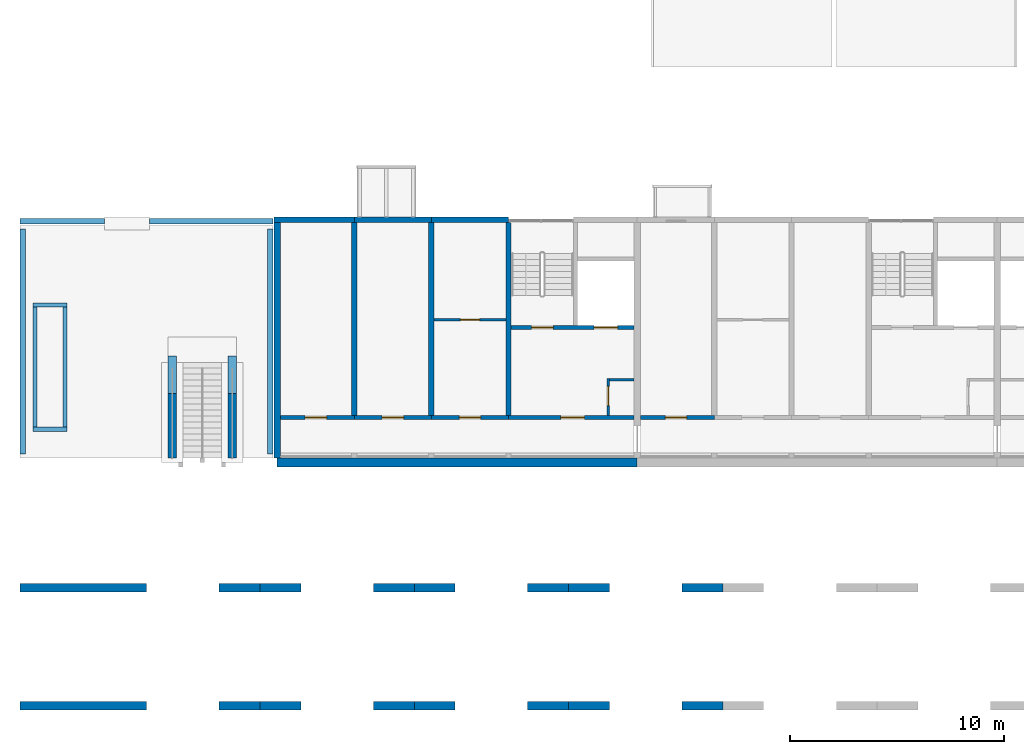
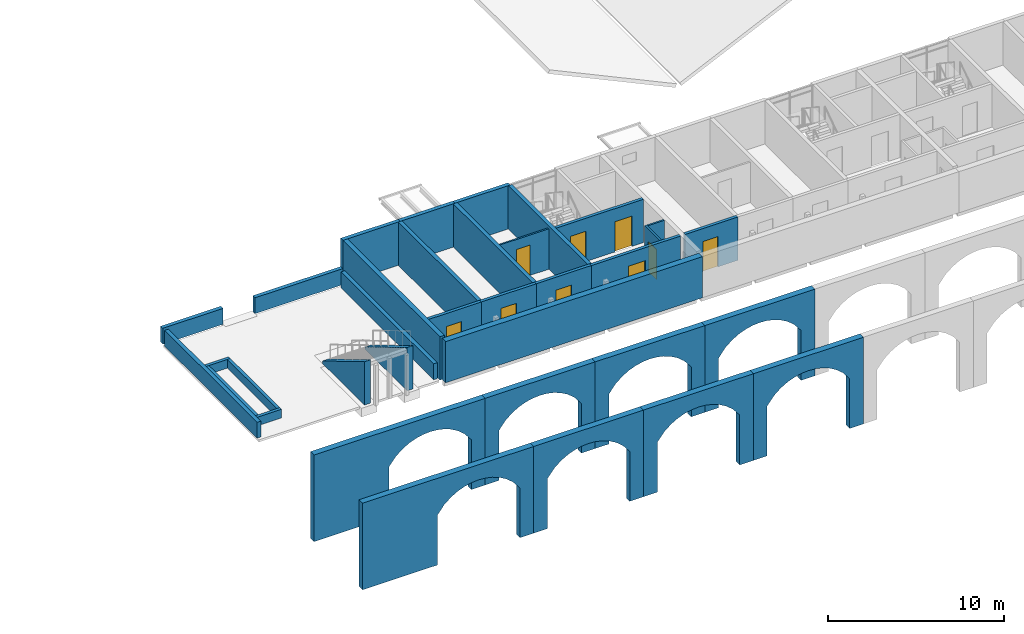
# One storey, part 53 of 122: 35 walls, 9 doors, 9 openings.
"""IFC4 building model written with IfcOpenShell, lengths in metres."""

import ifcopenshell
import ifcopenshell.guid

model = None  # the IFC model being written
_history = None  # IfcOwnerHistory: only IFC2X3 demands one
_inside = {}  # id of a spatial element -> (the spatial element, [elements in it])
_under = {}  # id of a project, library or spatial element -> (it, [spatial elements below it])
_declared = {}  # id of a project -> (the project, [libraries it declares])
_typed = {}  # id of a type object -> (the type object, [elements of that type])
_made_of = {}  # id of a material, layer set ... -> (it, [elements and type objects made of it])


def new_model(schema):
    """Start an empty IFC model of exactly this schema.

    Asked for "IFC4X3", IfcOpenShell would pick the latest addendum, in which some entities
    have other attributes; the version numbers below select the first issue.
    IFC2X3 requires an IfcOwnerHistory on every rooted entity: one is made here for all.
    """
    global model, _history
    if schema == "IFC4X3":
        model = ifcopenshell.file(schema_version=(4, 3, 0, 0))
    else:
        model = ifcopenshell.file(schema=schema)
    _inside.clear()
    _under.clear()
    _declared.clear()
    _typed.clear()
    _made_of.clear()
    _history = None
    if model.schema == "IFC2X3":
        org = make("IfcOrganization", Name="unknown")
        user = make(
            "IfcPersonAndOrganization",
            ThePerson=make("IfcPerson", FamilyName="unknown"),
            TheOrganization=org,
        )
        app = make(
            "IfcApplication",
            ApplicationDeveloper=org,
            Version="unknown",
            ApplicationFullName="unknown",
            ApplicationIdentifier="unknown",
        )
        _history = make(
            "IfcOwnerHistory",
            OwningUser=user,
            OwningApplication=app,
            ChangeAction="ADDED",
            CreationDate=0,
        )
    return model


def make(cls, **values):
    """One entity of the class cls with the attributes given. An attribute that is None is left unset."""
    return model.create_entity(
        cls, **{name: value for name, value in values.items() if value is not None}
    )


def rooted(cls, **values):
    """An entity with a GlobalId (a new one), such as an element, a storey or a relation."""
    return make(cls, GlobalId=ifcopenshell.guid.new(), OwnerHistory=_history, **values)


def si_unit(unit_type, name, prefix=None):
    """IfcSIUnit, for example si_unit("LENGTHUNIT", "METRE", prefix="MILLI")."""
    return make("IfcSIUnit", UnitType=unit_type, Prefix=prefix, Name=name)


def assignment(units):
    """IfcUnitAssignment: the units of a project."""
    return None if units is None else make("IfcUnitAssignment", Units=units)


def point(xyz):
    """IfcCartesianPoint."""
    return None if xyz is None else make("IfcCartesianPoint", Coordinates=xyz)


def direction(xyz):
    """IfcDirection."""
    return None if xyz is None else make("IfcDirection", DirectionRatios=xyz)


def frame(location, z_axis=None, x_axis=None):
    """IfcAxis2Placement3D, a coordinate frame: its origin and axes. An axis left out is left unset."""
    return make(
        "IfcAxis2Placement3D",
        Location=point(location),
        Axis=direction(z_axis),
        RefDirection=direction(x_axis),
    )


def frame_2d(location, x_axis=None):
    """IfcAxis2Placement2D, a coordinate frame in the plane: its origin and x axis."""
    return make(
        "IfcAxis2Placement2D", Location=point(location), RefDirection=direction(x_axis)
    )


def origin():
    """The frame at (0, 0, 0) with its axes left unset."""
    return frame((0.0, 0.0, 0.0))


def place(relative_to, where):
    """IfcLocalPlacement: puts the frame where relative to a parent placement (None: the world)."""
    return make(
        "IfcLocalPlacement", PlacementRelTo=relative_to, RelativePlacement=where
    )


def context(
    kind, dimensions, precision=None, world=None, true_north=None, identifier=None
):
    """IfcGeometricRepresentationContext, for example the 3D "Model" context."""
    return make(
        "IfcGeometricRepresentationContext",
        ContextIdentifier=identifier,
        ContextType=kind,
        CoordinateSpaceDimension=dimensions,
        Precision=precision,
        WorldCoordinateSystem=world,
        TrueNorth=true_north,
    )


def subcontext(parent, identifier, kind, view, scale=None):
    """IfcGeometricRepresentationSubContext, for example "Body" below "Model"."""
    return make(
        "IfcGeometricRepresentationSubContext",
        ContextIdentifier=identifier,
        ContextType=kind,
        ParentContext=parent,
        TargetScale=scale,
        TargetView=view,
    )


def project(units=None, contexts=None):
    """IfcProject with its units and contexts."""
    return rooted(
        "IfcProject",
        Name="project",
        RepresentationContexts=contexts,
        UnitsInContext=assignment(units),
    )


def spatial(cls, under=None, at=None, **own):
    """A site, building, storey or space (cls), placed at a placement, below another one or the project."""
    s = rooted(cls, ObjectPlacement=at, **own)
    if under is not None:
        _under.setdefault(under.id(), (under, []))[1].append(s)
    return s


def polyline(points):
    """IfcPolyline through the points."""
    return make("IfcPolyline", Points=[point(p) for p in points])


def profile(cls, at=None, kind="AREA", **sizes):
    """A parametric profile (cls). Its sizes go by their IFC names, for example OverallWidth=200.0."""
    return make(cls, ProfileType=kind, Position=at, **sizes)


def rectangle(**sizes):
    """IfcRectangleProfileDef."""
    return profile("IfcRectangleProfileDef", **sizes)


def outline(outer, holes=None, kind="AREA"):
    """IfcArbitraryClosedProfileDef: a profile drawn as a closed curve; with holes, ...WithVoids."""
    if holes is None:
        return make("IfcArbitraryClosedProfileDef", ProfileType=kind, OuterCurve=outer)
    return make(
        "IfcArbitraryProfileDefWithVoids",
        ProfileType=kind,
        OuterCurve=outer,
        InnerCurves=holes,
    )


def extrude(swept, where, along, depth):
    """IfcExtrudedAreaSolid: the profile swept, set in the frame where, extruded along a direction by depth."""
    return make(
        "IfcExtrudedAreaSolid",
        SweptArea=swept,
        Position=where,
        ExtrudedDirection=direction(along),
        Depth=depth,
    )


def shape(context_of_items, identifier, shape_type, items):
    """IfcShapeRepresentation: the items that make up one representation, for example the "Body"."""
    return make(
        "IfcShapeRepresentation",
        ContextOfItems=context_of_items,
        RepresentationIdentifier=identifier,
        RepresentationType=shape_type,
        Items=items,
    )


def material(Name=None, Category=None):
    """IfcMaterial."""
    return make("IfcMaterial", Name=Name, Category=Category)


def layer(
    of_material, thickness, ventilated=None, Name=None, Category=None, Priority=None
):
    """IfcMaterialLayer: one layer of a wall or slab, of a material (None: an air gap)."""
    return make(
        "IfcMaterialLayer",
        Material=of_material,
        LayerThickness=thickness,
        IsVentilated=ventilated,
        Name=Name,
        Category=Category,
        Priority=Priority,
    )


def layer_set(layers, Name=None):
    """IfcMaterialLayerSet."""
    return make("IfcMaterialLayerSet", MaterialLayers=layers, LayerSetName=Name)


def made_of(thing, what):
    """Note that an element or type object is made of a material, layer set ...; save() writes the relation."""
    if what is not None:
        _made_of.setdefault(what.id(), (what, []))[1].append(thing)
    return thing


def type_object(cls, material=None, **own):
    """A type object (cls), such as IfcWallType, which elements share."""
    return made_of(rooted(cls, **own), material)


def element(
    cls,
    number,
    at=None,
    inside=None,
    cuts=None,
    type_object=None,
    material=None,
    context=None,
    identifier="Body",
    shape_type=None,
    held_by="IfcProductDefinitionShape",
    body=None,
    shapes=None,
    **own,
):
    """One element of the class cls, such as IfcWall. Its Tag is "e" and its number.

    at: its placement. inside: the storey or other place that contains it. cuts: it is an
    opening in that element (IfcRelVoidsElement). A single representation is given by context,
    identifier, shape_type and body (its items); several are given by shapes. held_by: the class
    of the entity that holds the representations. save() writes the other relations.
    """
    e = rooted(cls, Tag="e%d" % number, ObjectPlacement=at, **own)
    if body is not None:
        shapes = [shape(context, identifier, shape_type, body)]
    if shapes is not None:
        e.Representation = make(held_by, Representations=shapes)
    if inside is not None:
        _inside.setdefault(inside.id(), (inside, []))[1].append(e)
    if cuts is not None:
        rooted(
            "IfcRelVoidsElement", RelatingBuildingElement=cuts, RelatedOpeningElement=e
        )
    if type_object is not None:
        _typed.setdefault(type_object.id(), (type_object, []))[1].append(e)
    return made_of(e, material)


def fill(opening, filler):
    """IfcRelFillsElement: the door or window that sits in an opening."""
    return rooted(
        "IfcRelFillsElement",
        RelatingOpeningElement=opening,
        RelatedBuildingElement=filler,
    )


def aggregate(whole, parts):
    """IfcRelAggregates: a whole, such as a stair, and the parts it consists of."""
    return rooted("IfcRelAggregates", RelatingObject=whole, RelatedObjects=parts)


def save(model, path):
    """Write the relations noted so far, then the file.

    IfcRelAggregates (storeys below a building ...), IfcRelContainedInSpatialStructure (elements
    in a storey), IfcRelDefinesByType, IfcRelAssociatesMaterial and IfcRelDeclares: one each for
    every whole, place, type object, material and project.
    """
    for whole, parts in _under.values():
        aggregate(whole, parts)
    for where, things in _inside.values():
        rooted(
            "IfcRelContainedInSpatialStructure",
            RelatedElements=things,
            RelatingStructure=where,
        )
    for kind, things in _typed.values():
        rooted("IfcRelDefinesByType", RelatedObjects=things, RelatingType=kind)
    for what, things in _made_of.values():
        rooted("IfcRelAssociatesMaterial", RelatedObjects=things, RelatingMaterial=what)
    for by, libraries in _declared.values():
        rooted("IfcRelDeclares", RelatingContext=by, RelatedDefinitions=libraries)
    model.write(path)


model = new_model("IFC4")

# Units and contexts
model_context = context("Model", 3, precision=1e-05, world=origin(), true_north=direction((0.0, 1.0)))
body_context = subcontext(model_context, "Body", "Model", "MODEL_VIEW")
ifc_project = project(units=[si_unit("LENGTHUNIT", "METRE"), si_unit("AREAUNIT", "SQUARE_METRE"), si_unit("VOLUMEUNIT", "CUBIC_METRE"), si_unit("PLANEANGLEUNIT", "RADIAN"), si_unit("MASSUNIT", "GRAM", prefix="KILO")], contexts=[model_context])

# Site, building, storey
site_placement = place(None, origin())
site = spatial("IfcSite", under=ifc_project, at=site_placement, CompositionType="ELEMENT")
building_placement = place(site_placement, origin())
building = spatial("IfcBuilding", under=site, at=building_placement, Name="Ridgestep Commons", CompositionType="ELEMENT")
storey_placement = place(building_placement, frame((0.0, 0.0, 3.0)))
storey = spatial("IfcBuildingStorey", under=building, at=storey_placement, Name="L01", CompositionType="ELEMENT", Elevation=3.0)

# Walls
ifc_material_1 = material(Name="Concrete C30/37", Category="concrete")
ifc_layer_1 = layer(ifc_material_1, 0.199951171875)
ifc_layer_set_1 = layer_set([ifc_layer_1], Name="Community planter wall 200")
wall_type_1 = type_object("IfcWallType", Name="Community planter wall 200", PredefinedType="SOLIDWALL", material=ifc_layer_set_1)
for number, where, z_axis, x_axis, name in (
    (1, (0.60009765625, 13.10009765625, 0.0), (0.0, 0.0, 1.0), (1.0, 0.0, 0.0), "Planter wall"),
    (2, (0.60009765625, 18.89990234375, 0.0), (0.0, 0.0, 1.0), (1.0, 0.0, 0.0), "Planter wall"),
):
    element("IfcWall", number, at=place(storey_placement, frame(where, z_axis=z_axis, x_axis=x_axis)), inside=storey, type_object=wall_type_1, Name=name, PredefinedType="SOLIDWALL", context=body_context, shape_type="SweptSolid", body=[
        extrude(rectangle(XDim=1.599853515625, YDim=0.199951171875, at=frame_2d((0.7998046875, 0.0))), origin(), (0.0, 0.0, 1.0), 0.60009765625),
    ])
for number, where, z_axis, x_axis, name in (
    (3, (0.699951171875, 13.199951171875, 0.0), (0.0, 0.0, 1.0), (0.0, 1.0, 0.0), "Planter wall"),
    (4, (2.10009765625, 13.199951171875, 0.0), (0.0, 0.0, 1.0), (0.0, 1.0, 0.0), "Planter wall"),
):
    element("IfcWall", number, at=place(storey_placement, frame(where, z_axis=z_axis, x_axis=x_axis)), inside=storey, type_object=wall_type_1, Name=name, PredefinedType="SOLIDWALL", context=body_context, shape_type="SweptSolid", body=[
        extrude(rectangle(XDim=5.60009765625, YDim=0.199951171875, at=frame_2d((2.800048828125, 0.0))), origin(), (0.0, 0.0, 1.0), 0.60009765625),
    ])
ifc_material_2 = material(Name="Concrete C30/37", Category="concrete")
ifc_layer_2 = layer(ifc_material_2, 0.39990234375)
ifc_layer_set_2 = layer_set([ifc_layer_2], Name="Community retaining wall 400")
wall_type_2 = type_object("IfcWallType", Name="Community retaining wall 400", PredefinedType="SOLIDWALL", material=ifc_layer_set_2)
for number, where, z_axis, x_axis, name in (
    (5, (7.10009765625, 11.75, 0.0), (0.0, 0.0, 1.0), (0.0, 1.0, 0.0), "Stair cheek wall"),
    (6, (9.89990234375, 11.75, 0.0), (0.0, 0.0, 1.0), (0.0, 1.0, 0.0), "Stair cheek wall"),
):
    element("IfcWall", number, at=place(storey_placement, frame(where, z_axis=z_axis, x_axis=x_axis)), inside=storey, type_object=wall_type_2, Name=name, PredefinedType="SOLIDWALL", context=body_context, shape_type="SweptSolid", body=[
        extrude(outline(polyline([(0.0, 0.0), (4.760009765625, 0.0), (4.760009765625, 0.166748046875), (0.0, 3.0), (0.0, 0.0)])), frame((0.0, 0.199951171875, 0.0), z_axis=(0.0, -1.0, 0.0), x_axis=(1.0, 0.0, 0.0)), (0.0, 0.0, 1.0), 0.39990234375),
    ])
ifc_material_3 = material(Name="Precast concrete C40/50", Category="concrete")
ifc_layer_3 = layer(ifc_material_3, 0.39990234375)
ifc_layer_set_3 = layer_set([ifc_layer_3], Name="Community south arcade inner wall 400")
wall_type_3 = type_object("IfcWallType", Name="Community south arcade inner wall 400", PredefinedType="SOLIDWALL", material=ifc_layer_set_3)
wall_1_placement = place(storey_placement, frame((0.001953125, 5.5, -3.25), z_axis=(0.0, -1.0, 0.0), x_axis=(1.0, 0.0, 0.0)))
element("IfcWall", 7, at=wall_1_placement, inside=storey, type_object=wall_type_3, Name="South arcade inner wall", PredefinedType="SOLIDWALL", context=body_context, shape_type="SweptSolid", body=[
    extrude(outline(polyline([(0.0, 0.0), (4.89794921875, 0.0), (4.89794921875, 3.449951171875), (5.34814453125, 4.01708984375), (5.798095703125, 4.3916015625), (6.248046875, 4.649169921875), (6.697998046875, 4.820068359375), (7.14794921875, 4.91796875), (7.59814453125, 4.949951171875), (8.048095703125, 4.91796875), (8.498046875, 4.820068359375), (8.947998046875, 4.649169921875), (9.39794921875, 4.3916015625), (9.84814453125, 4.01708984375), (10.298095703125, 3.449951171875), (10.298095703125, 0.0), (11.197998046875, 0.0), (11.197998046875, 6.0), (0.0, 6.0), (0.0, 0.0)])), origin(), (0.0, 0.0, -1.0), 0.39990234375),
])
wall_2_placement = place(storey_placement, frame((11.199951171875, 5.5, -3.25), z_axis=(0.0, -1.0, 0.0), x_axis=(1.0, 0.0, 0.0)))
element("IfcWall", 8, at=wall_2_placement, inside=storey, type_object=wall_type_3, Name="South arcade inner wall", PredefinedType="SOLIDWALL", context=body_context, shape_type="SweptSolid", body=[
    extrude(outline(polyline([(0.0, 0.0), (0.900146484375, 0.0), (0.900146484375, 3.449951171875), (1.35009765625, 4.01708984375), (1.800048828125, 4.3916015625), (2.25, 4.649169921875), (2.699951171875, 4.820068359375), (3.150146484375, 4.91796875), (3.60009765625, 4.949951171875), (4.050048828125, 4.91796875), (4.5, 4.820068359375), (4.949951171875, 4.649169921875), (5.400146484375, 4.3916015625), (5.85009765625, 4.01708984375), (6.300048828125, 3.449951171875), (6.300048828125, 0.0), (7.199951171875, 0.0), (7.199951171875, 6.0), (0.0, 6.0), (0.0, 0.0)])), origin(), (0.0, 0.0, -1.0), 0.39990234375),
])
wall_3_placement = place(storey_placement, frame((18.39990234375, 5.5, -3.25), z_axis=(0.0, -1.0, 0.0), x_axis=(1.0, 0.0, 0.0)))
element("IfcWall", 9, at=wall_3_placement, inside=storey, type_object=wall_type_3, Name="South arcade inner wall", PredefinedType="SOLIDWALL", context=body_context, shape_type="SweptSolid", body=[
    extrude(outline(polyline([(0.0, 0.0), (0.900146484375, 0.0), (0.900146484375, 3.449951171875), (1.35009765625, 4.01708984375), (1.800048828125, 4.3916015625), (2.25, 4.649169921875), (2.7001953125, 4.820068359375), (3.150146484375, 4.91796875), (3.60009765625, 4.949951171875), (4.050048828125, 4.91796875), (4.5, 4.820068359375), (4.9501953125, 4.649169921875), (5.400146484375, 4.3916015625), (5.85009765625, 4.01708984375), (6.300048828125, 3.449951171875), (6.300048828125, 0.0), (7.2001953125, 0.0), (7.2001953125, 6.0), (0.0, 6.0), (0.0, 0.0)])), origin(), (0.0, 0.0, -1.0), 0.39990234375),
])
wall_4_placement = place(storey_placement, frame((25.60009765625, 5.5, -3.25), z_axis=(0.0, -1.0, 0.0), x_axis=(1.0, 0.0, 0.0)))
element("IfcWall", 10, at=wall_4_placement, inside=storey, type_object=wall_type_3, Name="South arcade inner wall", PredefinedType="SOLIDWALL", context=body_context, shape_type="SweptSolid", body=[
    extrude(outline(polyline([(0.0, 0.0), (0.89990234375, 0.0), (0.89990234375, 3.449951171875), (1.349853515625, 4.01708984375), (1.7998046875, 4.3916015625), (2.25, 4.649169921875), (2.699951171875, 4.820068359375), (3.14990234375, 4.91796875), (3.599853515625, 4.949951171875), (4.0498046875, 4.91796875), (4.5, 4.820068359375), (4.949951171875, 4.649169921875), (5.39990234375, 4.3916015625), (5.849853515625, 4.01708984375), (6.2998046875, 3.449951171875), (6.2998046875, 0.0), (7.199951171875, 0.0), (7.199951171875, 6.0), (0.0, 6.0), (0.0, 0.0)])), origin(), (0.0, 0.0, -1.0), 0.39990234375),
])
ifc_material_4 = material(Name="Precast concrete C40/50", Category="concrete")
ifc_layer_4 = layer(ifc_material_4, 0.39990234375)
ifc_layer_set_4 = layer_set([ifc_layer_4], Name="Community south arcade wall 400")
wall_type_4 = type_object("IfcWallType", Name="Community south arcade wall 400", PredefinedType="SOLIDWALL", material=ifc_layer_set_4)
wall_5_placement = place(storey_placement, frame((0.001953125, 0.001953125, -3.25), z_axis=(0.0, -1.0, 0.0), x_axis=(1.0, 0.0, 0.0)))
element("IfcWall", 11, at=wall_5_placement, inside=storey, type_object=wall_type_4, Name="South arcade wall", PredefinedType="SOLIDWALL", context=body_context, shape_type="SweptSolid", body=[
    extrude(outline(polyline([(0.0, 0.0), (4.89794921875, 0.0), (4.89794921875, 3.449951171875), (5.34814453125, 4.01708984375), (5.798095703125, 4.3916015625), (6.248046875, 4.649169921875), (6.697998046875, 4.820068359375), (7.14794921875, 4.91796875), (7.59814453125, 4.949951171875), (8.048095703125, 4.91796875), (8.498046875, 4.820068359375), (8.947998046875, 4.649169921875), (9.39794921875, 4.3916015625), (9.84814453125, 4.01708984375), (10.298095703125, 3.449951171875), (10.298095703125, 0.0), (11.197998046875, 0.0), (11.197998046875, 6.0), (0.0, 6.0), (0.0, 0.0)])), origin(), (0.0, 0.0, -1.0), 0.39990234375),
])
wall_6_placement = place(storey_placement, frame((11.199951171875, 0.001953125, -3.25), z_axis=(0.0, -1.0, 0.0), x_axis=(1.0, 0.0, 0.0)))
element("IfcWall", 12, at=wall_6_placement, inside=storey, type_object=wall_type_4, Name="South arcade wall", PredefinedType="SOLIDWALL", context=body_context, shape_type="SweptSolid", body=[
    extrude(outline(polyline([(0.0, 0.0), (0.900146484375, 0.0), (0.900146484375, 3.449951171875), (1.35009765625, 4.01708984375), (1.800048828125, 4.3916015625), (2.25, 4.649169921875), (2.699951171875, 4.820068359375), (3.150146484375, 4.91796875), (3.60009765625, 4.949951171875), (4.050048828125, 4.91796875), (4.5, 4.820068359375), (4.949951171875, 4.649169921875), (5.400146484375, 4.3916015625), (5.85009765625, 4.01708984375), (6.300048828125, 3.449951171875), (6.300048828125, 0.0), (7.199951171875, 0.0), (7.199951171875, 6.0), (0.0, 6.0), (0.0, 0.0)])), origin(), (0.0, 0.0, -1.0), 0.39990234375),
])
wall_7_placement = place(storey_placement, frame((18.39990234375, 0.001953125, -3.25), z_axis=(0.0, -1.0, 0.0), x_axis=(1.0, 0.0, 0.0)))
element("IfcWall", 13, at=wall_7_placement, inside=storey, type_object=wall_type_4, Name="South arcade wall", PredefinedType="SOLIDWALL", context=body_context, shape_type="SweptSolid", body=[
    extrude(outline(polyline([(0.0, 0.0), (0.900146484375, 0.0), (0.900146484375, 3.449951171875), (1.35009765625, 4.01708984375), (1.800048828125, 4.3916015625), (2.25, 4.649169921875), (2.7001953125, 4.820068359375), (3.150146484375, 4.91796875), (3.60009765625, 4.949951171875), (4.050048828125, 4.91796875), (4.5, 4.820068359375), (4.9501953125, 4.649169921875), (5.400146484375, 4.3916015625), (5.85009765625, 4.01708984375), (6.300048828125, 3.449951171875), (6.300048828125, 0.0), (7.2001953125, 0.0), (7.2001953125, 6.0), (0.0, 6.0), (0.0, 0.0)])), origin(), (0.0, 0.0, -1.0), 0.39990234375),
])
wall_8_placement = place(storey_placement, frame((25.60009765625, 0.001953125, -3.25), z_axis=(0.0, -1.0, 0.0), x_axis=(1.0, 0.0, 0.0)))
element("IfcWall", 14, at=wall_8_placement, inside=storey, type_object=wall_type_4, Name="South arcade wall", PredefinedType="SOLIDWALL", context=body_context, shape_type="SweptSolid", body=[
    extrude(outline(polyline([(0.0, 0.0), (0.89990234375, 0.0), (0.89990234375, 3.449951171875), (1.349853515625, 4.01708984375), (1.7998046875, 4.3916015625), (2.25, 4.649169921875), (2.699951171875, 4.820068359375), (3.14990234375, 4.91796875), (3.599853515625, 4.949951171875), (4.0498046875, 4.91796875), (4.5, 4.820068359375), (4.949951171875, 4.649169921875), (5.39990234375, 4.3916015625), (5.849853515625, 4.01708984375), (6.2998046875, 3.449951171875), (6.2998046875, 0.0), (7.199951171875, 0.0), (7.199951171875, 6.0), (0.0, 6.0), (0.0, 0.0)])), origin(), (0.0, 0.0, -1.0), 0.39990234375),
])
ifc_material_5 = material(Name="Precast concrete C40/50", Category="concrete")
ifc_layer_5 = layer(ifc_material_5, 0.25)
ifc_layer_set_5 = layer_set([ifc_layer_5], Name="Community terrace parapet 250")
wall_type_5 = type_object("IfcWallType", Name="Community terrace parapet 250", PredefinedType="PARAPET", material=ifc_layer_set_5)
wall_9_placement = place(storey_placement, frame((0.010009765625, 22.800048828125, 0.0), z_axis=(0.0, 0.0, 1.0), x_axis=(1.0, 0.0, 0.0)))
element("IfcWall", 15, at=wall_9_placement, inside=storey, type_object=wall_type_5, Name="Terrace parapet", PredefinedType="PARAPET", context=body_context, shape_type="SweptSolid", body=[
    extrude(rectangle(XDim=3.93994140625, YDim=0.25, at=frame_2d((1.969970703125, 0.0))), origin(), (0.0, 0.0, 1.0), 1.10009765625),
])
wall_10_placement = place(storey_placement, frame((6.050048828125, 22.800048828125, 0.0), z_axis=(0.0, 0.0, 1.0), x_axis=(1.0, 0.0, 0.0)))
element("IfcWall", 16, at=wall_10_placement, inside=storey, type_object=wall_type_5, Name="Terrace parapet", PredefinedType="PARAPET", context=body_context, shape_type="SweptSolid", body=[
    extrude(rectangle(XDim=5.75, YDim=0.25, at=frame_2d((2.875, 0.0))), origin(), (0.0, 0.0, 1.0), 1.10009765625),
])
for number, where, z_axis, x_axis, name in (
    (17, (0.126953125, 11.949951171875, 0.0), (0.0, 0.0, 1.0), (0.0, 1.0, 0.0), "Terrace parapet"),
    (18, (11.675048828125, 11.949951171875, 0.0), (0.0, 0.0, 1.0), (0.0, 1.0, 0.0), "Terrace parapet"),
):
    element("IfcWall", number, at=place(storey_placement, frame(where, z_axis=z_axis, x_axis=x_axis)), inside=storey, type_object=wall_type_5, Name=name, PredefinedType="PARAPET", context=body_context, shape_type="SweptSolid", body=[
        extrude(rectangle(XDim=10.5, YDim=0.25, at=frame_2d((5.25, 0.0))), origin(), (0.0, 0.0, 1.0), 1.10009765625),
    ])
ifc_material_6 = material(Name="Concrete C30/37", Category="concrete")
ifc_layer_6 = layer(ifc_material_6, 0.25)
ifc_layer_set_6 = layer_set([ifc_layer_6], Name="Core cross wall 250")
wall_type_6 = type_object("IfcWallType", Name="Core cross wall 250", PredefinedType="SHEAR", material=ifc_layer_set_6)
wall_11_placement = place(storey_placement, frame((22.800048828125, 13.75, 0.0), z_axis=(0.0, 0.0, 1.0), x_axis=(0.0, 1.0, 0.0)))
element("IfcWall", 19, at=wall_11_placement, inside=storey, type_object=wall_type_6, Name="Cross wall A-01-0228", PredefinedType="SHEAR", context=body_context, shape_type="SweptSolid", body=[
    extrude(rectangle(XDim=9.0, YDim=0.25, at=frame_2d((4.5, 0.0))), origin(), (0.0, 0.0, 1.0), 3.0),
])

# Wall, opening, door
ifc_material_7 = material(Name="Concrete C30/37", Category="concrete")
ifc_layer_7 = layer(ifc_material_7, 0.199951171875)
ifc_layer_set_7 = layer_set([ifc_layer_7], Name="Core south wall 200")
wall_type_7 = type_object("IfcWallType", Name="Core south wall 200", PredefinedType="SHEAR", material=ifc_layer_set_7)
wall_12_placement = place(storey_placement, frame((22.800048828125, 13.64990234375, 0.0), z_axis=(0.0, 0.0, 1.0), x_axis=(1.0, 0.0, 0.0)))
wall_12 = element("IfcWall", 20, at=wall_12_placement, inside=storey, type_object=wall_type_7, Name="Core south wall A1C L01", PredefinedType="SHEAR", context=body_context, shape_type="SweptSolid", body=[
    extrude(rectangle(XDim=5.849853515625, YDim=0.199951171875, at=frame_2d((2.9248046875, 0.0))), origin(), (0.0, 0.0, 1.0), 3.0),
])
opening_1_placement = place(wall_12_placement, frame((2.4375, 0.0, 0.0)))
opening_1 = element("IfcOpeningElement", 21, at=opening_1_placement, cuts=wall_12, Name="Opening A1C/01/1", PredefinedType="OPENING", context=body_context, shape_type="SweptSolid", body=[
    extrude(rectangle(XDim=1.10009765625, YDim=2.10009765625, at=frame_2d((0.550048828125, 1.050048828125))), frame((0.0, 0.10986328125, 0.0), z_axis=(0.0, -1.0, 0.0), x_axis=(1.0, 0.0, 0.0)), (0.0, 0.0, 1.0), 0.219970703125),
])
ifc_material_8 = material(Name="Steel fire door", Category="steel")
door_type_1 = type_object("IfcDoorType", Name="Lobby door 1100 x 2100 FD60", OperationType="NOTDEFINED", PredefinedType="DOOR", material=ifc_material_8)
door_1_placement = place(opening_1_placement, origin())
door_1 = element("IfcDoor", 22, at=door_1_placement, inside=storey, type_object=door_type_1, Name="Lobby door A1C/01/1", OperationType="SINGLE_SWING_LEFT", OverallHeight=2.10009765625, OverallWidth=1.10009765625, PredefinedType="DOOR", context=body_context, shape_type="SweptSolid", body=[
    extrude(rectangle(XDim=1.10009765625, YDim=2.10009765625, at=frame_2d((0.550048828125, 1.050048828125))), frame((0.0, 0.02490234375, 0.0), z_axis=(0.0, -1.0, 0.0), x_axis=(1.0, 0.0, 0.0)), (0.0, 0.0, 1.0), 0.050048828125),
])
fill(opening_1, door_1)

ifc_material_9 = material(Name="Concrete C30/37", Category="concrete")
ifc_layer_8 = layer(ifc_material_9, 0.1201171875)
ifc_layer_set_8 = layer_set([ifc_layer_8], Name="Core wall 120")
wall_type_8 = type_object("IfcWallType", Name="Core wall 120", PredefinedType="SHEAR", material=ifc_layer_set_8)
wall_13_placement = place(storey_placement, frame((27.4599609375, 13.75, 0.0), z_axis=(0.0, 0.0, 1.0), x_axis=(0.0, 1.0, 0.0)))
wall_13 = element("IfcWall", 23, at=wall_13_placement, inside=storey, type_object=wall_type_8, Name="Core riser w wall A1C L01", PredefinedType="SHEAR", context=body_context, shape_type="SweptSolid", body=[
    extrude(rectangle(XDim=1.719970703125, YDim=0.1201171875, at=frame_2d((0.85986328125, 0.0))), origin(), (0.0, 0.0, 1.0), 3.0),
])
opening_2_placement = place(wall_13_placement, frame((0.449951171875, 0.0, 0.0)))
opening_2 = element("IfcOpeningElement", 24, at=opening_2_placement, cuts=wall_13, Name="Opening A1C/01/4", PredefinedType="OPENING", context=body_context, shape_type="SweptSolid", body=[
    extrude(rectangle(XDim=0.89990234375, YDim=2.10009765625, at=frame_2d((0.449951171875, 1.050048828125))), frame((0.0, 0.070068359375, 0.0), z_axis=(0.0, -1.0, 0.0), x_axis=(1.0, 0.0, 0.0)), (0.0, 0.0, 1.0), 0.14013671875),
])
ifc_material_10 = material(Name="Steel fire door", Category="steel")
door_type_2 = type_object("IfcDoorType", Name="Riser door 900 x 2100 FD60", OperationType="NOTDEFINED", PredefinedType="DOOR", material=ifc_material_10)
door_2_placement = place(opening_2_placement, origin())
door_2 = element("IfcDoor", 25, at=door_2_placement, inside=storey, type_object=door_type_2, Name="Riser door A1C/01/4", OperationType="SINGLE_SWING_LEFT", OverallHeight=2.10009765625, OverallWidth=0.89990234375, PredefinedType="DOOR", context=body_context, shape_type="SweptSolid", body=[
    extrude(rectangle(XDim=0.89990234375, YDim=2.10009765625, at=frame_2d((0.449951171875, 1.050048828125))), frame((0.0, 0.02490234375, 0.0), z_axis=(0.0, -1.0, 0.0), x_axis=(1.0, 0.0, 0.0)), (0.0, 0.0, 1.0), 0.050048828125),
])
fill(opening_2, door_2)

# Wall
wall_14_placement = place(storey_placement, frame((27.52001953125, 15.409912109375, 0.0), z_axis=(0.0, 0.0, 1.0), x_axis=(1.0, 0.0, 0.0)))
element("IfcWall", 26, at=wall_14_placement, inside=storey, type_object=wall_type_8, Name="Core riser n wall A1C L01", PredefinedType="SHEAR", context=body_context, shape_type="SweptSolid", body=[
    extrude(rectangle(XDim=1.1298828125, YDim=0.1201171875, at=frame_2d((0.56494140625, 0.0))), origin(), (0.0, 0.0, 1.0), 3.0),
])

# Wall, openings, doors
ifc_material_11 = material(Name="Concrete C30/37", Category="concrete")
ifc_layer_9 = layer(ifc_material_11, 0.199951171875)
ifc_layer_set_9 = layer_set([ifc_layer_9], Name="Core wall 200")
wall_type_9 = type_object("IfcWallType", Name="Core wall 200", PredefinedType="SHEAR", material=ifc_layer_set_9)
wall_15_placement = place(storey_placement, frame((22.925048828125, 17.85009765625, 0.0), z_axis=(0.0, 0.0, 1.0), x_axis=(1.0, 0.0, 0.0)))
wall_15 = element("IfcWall", 27, at=wall_15_placement, inside=storey, type_object=wall_type_9, Name="Core lobby wall A1C L01", PredefinedType="SHEAR", context=body_context, shape_type="SweptSolid", body=[
    extrude(rectangle(XDim=5.724853515625, YDim=0.199951171875, at=frame_2d((2.8623046875, 0.0))), origin(), (0.0, 0.0, 1.0), 3.0),
])
opening_3_placement = place(wall_15_placement, frame((0.949951171875, 0.0, 0.0)))
opening_3 = element("IfcOpeningElement", 28, at=opening_3_placement, cuts=wall_15, Name="Opening A1C/01/2", PredefinedType="OPENING", context=body_context, shape_type="SweptSolid", body=[
    extrude(rectangle(XDim=1.0, YDim=2.10009765625, at=frame_2d((0.5, 1.050048828125))), frame((0.0, 0.10986328125, 0.0), z_axis=(0.0, -1.0, 0.0), x_axis=(1.0, 0.0, 0.0)), (0.0, 0.0, 1.0), 0.219970703125),
])
opening_4_placement = place(wall_15_placement, frame((3.862548828125, 0.0, 0.0)))
opening_4 = element("IfcOpeningElement", 29, at=opening_4_placement, cuts=wall_15, Name="Opening A1C/01/3", PredefinedType="OPENING", context=body_context, shape_type="SweptSolid", body=[
    extrude(rectangle(XDim=1.10009765625, YDim=2.10009765625, at=frame_2d((0.550048828125, 1.050048828125))), frame((0.0, 0.10986328125, 0.0), z_axis=(0.0, -1.0, 0.0), x_axis=(1.0, 0.0, 0.0)), (0.0, 0.0, 1.0), 0.219970703125),
])
ifc_material_12 = material(Name="Stainless steel", Category="steel")
door_type_3 = type_object("IfcDoorType", Name="Lift landing door 1100 x 2100 FD60", OperationType="DOUBLE_DOOR_SLIDING", PredefinedType="DOOR", material=ifc_material_12)
door_3_placement = place(opening_4_placement, origin())
door_3 = element("IfcDoor", 30, at=door_3_placement, inside=storey, type_object=door_type_3, Name="Landing door LD A1C L01", OperationType="DOUBLE_DOOR_SLIDING", OverallHeight=2.10009765625, OverallWidth=1.10009765625, PredefinedType="DOOR", context=body_context, shape_type="SweptSolid", body=[
    extrude(rectangle(XDim=1.10009765625, YDim=2.10009765625, at=frame_2d((0.550048828125, 1.050048828125))), frame((0.0, 0.02490234375, 0.0), z_axis=(0.0, -1.0, 0.0), x_axis=(1.0, 0.0, 0.0)), (0.0, 0.0, 1.0), 0.050048828125),
])
fill(opening_4, door_3)
ifc_material_13 = material(Name="Steel fire door", Category="steel")
door_type_4 = type_object("IfcDoorType", Name="Stair door 1000 x 2100 FD60", OperationType="NOTDEFINED", PredefinedType="DOOR", material=ifc_material_13)
door_4_placement = place(opening_3_placement, origin())
door_4 = element("IfcDoor", 31, at=door_4_placement, inside=storey, type_object=door_type_4, Name="Stair door A1C/01/2", OperationType="SINGLE_SWING_RIGHT", OverallHeight=2.10009765625, OverallWidth=1.0, PredefinedType="DOOR", context=body_context, shape_type="SweptSolid", body=[
    extrude(rectangle(XDim=1.0, YDim=2.10009765625, at=frame_2d((0.5, 1.050048828125))), frame((0.0, 0.02490234375, 0.0), z_axis=(0.0, -1.0, 0.0), x_axis=(1.0, 0.0, 0.0)), (0.0, 0.0, 1.0), 0.050048828125),
])
fill(opening_3, door_4)

# Walls
ifc_material_14 = material(Name="Precast concrete C40/50", Category="concrete")
ifc_layer_10 = layer(ifc_material_14, 0.25)
ifc_layer_set_10 = layer_set([ifc_layer_10], Name="Cross wall 250")
wall_type_10 = type_object("IfcWallType", Name="Cross wall 250", PredefinedType="SHEAR", material=ifc_layer_set_10)
for number, where, z_axis, x_axis, name in (
    (32, (15.60009765625, 13.75, 0.0), (0.0, 0.0, 1.0), (0.0, 1.0, 0.0), "Cross wall A-01-0156"),
    (33, (19.199951171875, 13.75, 0.0), (0.0, 0.0, 1.0), (0.0, 1.0, 0.0), "Cross wall A-01-0192"),
):
    element("IfcWall", number, at=place(storey_placement, frame(where, z_axis=z_axis, x_axis=x_axis)), inside=storey, type_object=wall_type_10, Name=name, PredefinedType="SHEAR", context=body_context, shape_type="SweptSolid", body=[
        extrude(rectangle(XDim=9.0, YDim=0.25, at=frame_2d((4.5, 0.0))), origin(), (0.0, 0.0, 1.0), 3.0),
    ])
ifc_material_15 = material(Name="Precast concrete C40/50", Category="concrete")
ifc_layer_11 = layer(ifc_material_15, 0.300048828125)
ifc_layer_set_11 = layer_set([ifc_layer_11], Name="Exposed division wall 300")
wall_type_11 = type_object("IfcWallType", Name="Exposed division wall 300", PredefinedType="SHEAR", material=ifc_layer_set_11)
wall_16_placement = place(storey_placement, frame((12.0, 11.75, 0.0), z_axis=(0.0, 0.0, 1.0), x_axis=(0.0, 1.0, 0.0)))
element("IfcWall", 34, at=wall_16_placement, inside=storey, type_object=wall_type_11, Name="Cross wall A-01-0120", PredefinedType="SHEAR", context=body_context, shape_type="SweptSolid", body=[
    extrude(rectangle(XDim=11.0, YDim=0.300048828125, at=frame_2d((5.5, 0.0))), origin(), (0.0, 0.0, 1.0), 3.0),
])
ifc_material_16 = material(Name="Precast concrete C40/50", Category="concrete")
ifc_layer_12 = layer(ifc_material_16, 0.25)
ifc_layer_set_12 = layer_set([ifc_layer_12], Name="North facade panel 250")
wall_type_12 = type_object("IfcWallType", Name="North facade panel 250", PredefinedType="SOLIDWALL", material=ifc_layer_set_12)
wall_17_placement = place(storey_placement, frame((11.85009765625, 22.875, 0.0), z_axis=(0.0, 0.0, 1.0), x_axis=(1.0, 0.0, 0.0)))
element("IfcWall", 35, at=wall_17_placement, inside=storey, type_object=wall_type_12, Name="North panel A1T1 L01", PredefinedType="SOLIDWALL", context=body_context, shape_type="SweptSolid", body=[
    extrude(rectangle(XDim=3.75, YDim=0.25, at=frame_2d((1.875, 0.0))), origin(), (0.0, 0.0, 1.0), 3.0),
])
wall_18_placement = place(storey_placement, frame((15.60009765625, 22.875, 0.0), z_axis=(0.0, 0.0, 1.0), x_axis=(1.0, 0.0, 0.0)))
element("IfcWall", 36, at=wall_18_placement, inside=storey, type_object=wall_type_12, Name="North panel A1T2 L01", PredefinedType="SOLIDWALL", context=body_context, shape_type="SweptSolid", body=[
    extrude(rectangle(XDim=3.599853515625, YDim=0.25, at=frame_2d((1.7998046875, 0.0))), origin(), (0.0, 0.0, 1.0), 3.0),
])
wall_19_placement = place(storey_placement, frame((19.199951171875, 22.875, 0.0), z_axis=(0.0, 0.0, 1.0), x_axis=(1.0, 0.0, 0.0)))
element("IfcWall", 37, at=wall_19_placement, inside=storey, type_object=wall_type_12, Name="North panel A1T3 L01", PredefinedType="SOLIDWALL", context=body_context, shape_type="SweptSolid", body=[
    extrude(rectangle(XDim=3.60009765625, YDim=0.25, at=frame_2d((1.800048828125, 0.0))), origin(), (0.0, 0.0, 1.0), 3.0),
])

# Wall, opening, door
ifc_material_17 = material(Name="Common brick 110 mm", Category="masonry")
ifc_layer_13 = layer(ifc_material_17, 0.110107421875)
ifc_layer_set_13 = layer_set([ifc_layer_13], Name="Partition 110")
wall_type_13 = type_object("IfcWallType", Name="Partition 110", PredefinedType="PARTITIONING", material=ifc_layer_set_13)
wall_20_placement = place(storey_placement, frame((19.324951171875, 18.205078125, 0.0), z_axis=(0.0, 0.0, 1.0), x_axis=(1.0, 0.0, 0.0)))
wall_20 = element("IfcWall", 38, at=wall_20_placement, inside=storey, type_object=wall_type_13, Name="Partition A1-01p", PredefinedType="PARTITIONING", context=body_context, shape_type="SweptSolid", body=[
    extrude(rectangle(XDim=3.35009765625, YDim=0.110107421875, at=frame_2d((1.675048828125, 0.0))), origin(), (0.0, 0.0, 1.0), 2.800048828125),
])
opening_5_placement = place(wall_20_placement, frame((1.22509765625, 0.0, 0.0)))
opening_5 = element("IfcOpeningElement", 39, at=opening_5_placement, cuts=wall_20, Name="Opening A1-01p/4", PredefinedType="OPENING", context=body_context, shape_type="SweptSolid", body=[
    extrude(rectangle(XDim=0.89990234375, YDim=2.10009765625, at=frame_2d((0.449951171875, 1.050048828125))), frame((0.0, 0.06494140625, 0.0), z_axis=(0.0, -1.0, 0.0), x_axis=(1.0, 0.0, 0.0)), (0.0, 0.0, 1.0), 0.130126953125),
])
ifc_material_18 = material(Name="Timber door leaf", Category="wood")
door_type_5 = type_object("IfcDoorType", Name="Internal door 900 x 2100", OperationType="NOTDEFINED", PredefinedType="DOOR", material=ifc_material_18)
door_5_placement = place(opening_5_placement, origin())
door_5 = element("IfcDoor", 40, at=door_5_placement, inside=storey, type_object=door_type_5, Name="Internal door A1-01p/4", OperationType="SINGLE_SWING_LEFT", OverallHeight=2.10009765625, OverallWidth=0.89990234375, PredefinedType="DOOR", context=body_context, shape_type="SweptSolid", body=[
    extrude(rectangle(XDim=0.89990234375, YDim=2.10009765625, at=frame_2d((0.449951171875, 1.050048828125))), frame((0.0, 0.02490234375, 0.0), z_axis=(0.0, -1.0, 0.0), x_axis=(1.0, 0.0, 0.0)), (0.0, 0.0, 1.0), 0.050048828125),
])
fill(opening_5, door_5)

# Wall
ifc_material_19 = material(Name="Concrete C30/37", Category="concrete")
ifc_layer_14 = layer(ifc_material_19, 0.39990234375)
ifc_layer_set_14 = layer_set([ifc_layer_14], Name="Plinth retaining wall 400")
wall_type_14 = type_object("IfcWallType", Name="Plinth retaining wall 400", PredefinedType="SOLIDWALL", material=ifc_layer_set_14)
wall_21_placement = place(storey_placement, frame((12.0, 11.550048828125, 0.0), z_axis=(0.0, 0.0, 1.0), x_axis=(1.0, 0.0, 0.0)))
element("IfcWall", 41, at=wall_21_placement, inside=storey, type_object=wall_type_14, Name="Plinth retaining wall A1 L01", PredefinedType="SOLIDWALL", context=body_context, shape_type="SweptSolid", body=[
    extrude(rectangle(XDim=16.800048828125, YDim=0.39990234375, at=frame_2d((8.39990234375, 0.0))), origin(), (0.0, 0.0, 1.0), 2.85009765625),
])

# Wall, opening, door
ifc_material_20 = material(Name="Precast concrete C40/50", Category="concrete")
ifc_layer_15 = layer(ifc_material_20, 0.199951171875)
ifc_layer_set_15 = layer_set([ifc_layer_15], Name="South facade panel 200")
wall_type_15 = type_object("IfcWallType", Name="South facade panel 200", PredefinedType="SOLIDWALL", material=ifc_layer_set_15)
wall_22_placement = place(storey_placement, frame((12.14990234375, 13.64990234375, 0.0), z_axis=(0.0, 0.0, 1.0), x_axis=(1.0, 0.0, 0.0)))
wall_22 = element("IfcWall", 42, at=wall_22_placement, inside=storey, type_object=wall_type_15, Name="South panel A1T1 L01", PredefinedType="SOLIDWALL", context=body_context, shape_type="SweptSolid", body=[
    extrude(rectangle(XDim=3.4501953125, YDim=0.199951171875, at=frame_2d((1.72509765625, 0.0))), origin(), (0.0, 0.0, 1.0), 3.0),
])
opening_6_placement = place(wall_22_placement, frame((1.16259765625, 0.0, 0.0)))
opening_6 = element("IfcOpeningElement", 43, at=opening_6_placement, cuts=wall_22, Name="Opening A1-01p/1", PredefinedType="OPENING", context=body_context, shape_type="SweptSolid", body=[
    extrude(rectangle(XDim=1.0, YDim=2.10009765625, at=frame_2d((0.5, 1.050048828125))), frame((0.0, 0.10986328125, 0.0), z_axis=(0.0, -1.0, 0.0), x_axis=(1.0, 0.0, 0.0)), (0.0, 0.0, 1.0), 0.219970703125),
])
ifc_material_21 = material(Name="Steel door leaf", Category="steel")
door_type_6 = type_object("IfcDoorType", Name="Store door 1000 x 2100", OperationType="NOTDEFINED", PredefinedType="DOOR", material=ifc_material_21)
door_6_placement = place(opening_6_placement, origin())
door_6 = element("IfcDoor", 44, at=door_6_placement, inside=storey, type_object=door_type_6, Name="Store door A1-01p/1", OperationType="SINGLE_SWING_RIGHT", OverallHeight=2.10009765625, OverallWidth=1.0, PredefinedType="DOOR", context=body_context, shape_type="SweptSolid", body=[
    extrude(rectangle(XDim=1.0, YDim=2.10009765625, at=frame_2d((0.5, 1.050048828125))), frame((0.0, 0.02490234375, 0.0), z_axis=(0.0, -1.0, 0.0), x_axis=(1.0, 0.0, 0.0)), (0.0, 0.0, 1.0), 0.050048828125),
])
fill(opening_6, door_6)

wall_23_placement = place(storey_placement, frame((15.60009765625, 13.64990234375, 0.0), z_axis=(0.0, 0.0, 1.0), x_axis=(1.0, 0.0, 0.0)))
wall_23 = element("IfcWall", 45, at=wall_23_placement, inside=storey, type_object=wall_type_15, Name="South panel A1T2 L01", PredefinedType="SOLIDWALL", context=body_context, shape_type="SweptSolid", body=[
    extrude(rectangle(XDim=3.599853515625, YDim=0.199951171875, at=frame_2d((1.7998046875, 0.0))), origin(), (0.0, 0.0, 1.0), 3.0),
])
opening_7_placement = place(wall_23_placement, frame((1.300048828125, 0.0, 0.0)))
opening_7 = element("IfcOpeningElement", 46, at=opening_7_placement, cuts=wall_23, Name="Opening A1-01p/2", PredefinedType="OPENING", context=body_context, shape_type="SweptSolid", body=[
    extrude(rectangle(XDim=1.0, YDim=2.10009765625, at=frame_2d((0.5, 1.050048828125))), frame((0.0, 0.10986328125, 0.0), z_axis=(0.0, -1.0, 0.0), x_axis=(1.0, 0.0, 0.0)), (0.0, 0.0, 1.0), 0.219970703125),
])
door_7_placement = place(opening_7_placement, origin())
door_7 = element("IfcDoor", 47, at=door_7_placement, inside=storey, type_object=door_type_6, Name="Store door A1-01p/2", OperationType="SINGLE_SWING_RIGHT", OverallHeight=2.10009765625, OverallWidth=1.0, PredefinedType="DOOR", context=body_context, shape_type="SweptSolid", body=[
    extrude(rectangle(XDim=1.0, YDim=2.10009765625, at=frame_2d((0.5, 1.050048828125))), frame((0.0, 0.02490234375, 0.0), z_axis=(0.0, -1.0, 0.0), x_axis=(1.0, 0.0, 0.0)), (0.0, 0.0, 1.0), 0.050048828125),
])
fill(opening_7, door_7)

wall_24_placement = place(storey_placement, frame((19.199951171875, 13.64990234375, 0.0), z_axis=(0.0, 0.0, 1.0), x_axis=(1.0, 0.0, 0.0)))
wall_24 = element("IfcWall", 48, at=wall_24_placement, inside=storey, type_object=wall_type_15, Name="South panel A1T3 L01", PredefinedType="SOLIDWALL", context=body_context, shape_type="SweptSolid", body=[
    extrude(rectangle(XDim=3.60009765625, YDim=0.199951171875, at=frame_2d((1.800048828125, 0.0))), origin(), (0.0, 0.0, 1.0), 3.0),
])
opening_8_placement = place(wall_24_placement, frame((1.300048828125, 0.0, 0.0)))
opening_8 = element("IfcOpeningElement", 49, at=opening_8_placement, cuts=wall_24, Name="Opening A1-01p/3", PredefinedType="OPENING", context=body_context, shape_type="SweptSolid", body=[
    extrude(rectangle(XDim=1.0, YDim=2.10009765625, at=frame_2d((0.5, 1.050048828125))), frame((0.0, 0.10986328125, 0.0), z_axis=(0.0, -1.0, 0.0), x_axis=(1.0, 0.0, 0.0)), (0.0, 0.0, 1.0), 0.219970703125),
])
door_8_placement = place(opening_8_placement, origin())
door_8 = element("IfcDoor", 50, at=door_8_placement, inside=storey, type_object=door_type_6, Name="Store door A1-01p/3", OperationType="SINGLE_SWING_RIGHT", OverallHeight=2.10009765625, OverallWidth=1.0, PredefinedType="DOOR", context=body_context, shape_type="SweptSolid", body=[
    extrude(rectangle(XDim=1.0, YDim=2.10009765625, at=frame_2d((0.5, 1.050048828125))), frame((0.0, 0.02490234375, 0.0), z_axis=(0.0, -1.0, 0.0), x_axis=(1.0, 0.0, 0.0)), (0.0, 0.0, 1.0), 0.050048828125),
])
fill(opening_8, door_8)

wall_25_placement = place(storey_placement, frame((28.949951171875, 13.64990234375, 0.0), z_axis=(0.0, 0.0, 1.0), x_axis=(1.0, 0.0, 0.0)))
wall_25 = element("IfcWall", 51, at=wall_25_placement, inside=storey, type_object=wall_type_15, Name="South panel A2T1 L01", PredefinedType="SOLIDWALL", context=body_context, shape_type="SweptSolid", body=[
    extrude(rectangle(XDim=3.449951171875, YDim=0.199951171875, at=frame_2d((1.72509765625, 0.0))), origin(), (0.0, 0.0, 1.0), 3.0),
])
opening_9_placement = place(wall_25_placement, frame((1.16259765625, 0.0, 0.0)))
opening_9 = element("IfcOpeningElement", 52, at=opening_9_placement, cuts=wall_25, Name="Opening A2-01p/1", PredefinedType="OPENING", context=body_context, shape_type="SweptSolid", body=[
    extrude(rectangle(XDim=1.0, YDim=2.10009765625, at=frame_2d((0.5, 1.050048828125))), frame((0.0, 0.10986328125, 0.0), z_axis=(0.0, -1.0, 0.0), x_axis=(1.0, 0.0, 0.0)), (0.0, 0.0, 1.0), 0.219970703125),
])
door_9_placement = place(opening_9_placement, origin())
door_9 = element("IfcDoor", 53, at=door_9_placement, inside=storey, type_object=door_type_6, Name="Store door A2-01p/1", OperationType="SINGLE_SWING_RIGHT", OverallHeight=2.10009765625, OverallWidth=1.0, PredefinedType="DOOR", context=body_context, shape_type="SweptSolid", body=[
    extrude(rectangle(XDim=1.0, YDim=2.10009765625, at=frame_2d((0.5, 1.050048828125))), frame((0.0, 0.02490234375, 0.0), z_axis=(0.0, -1.0, 0.0), x_axis=(1.0, 0.0, 0.0)), (0.0, 0.0, 1.0), 0.050048828125),
])
fill(opening_9, door_9)

save(model, "model.ifc")
